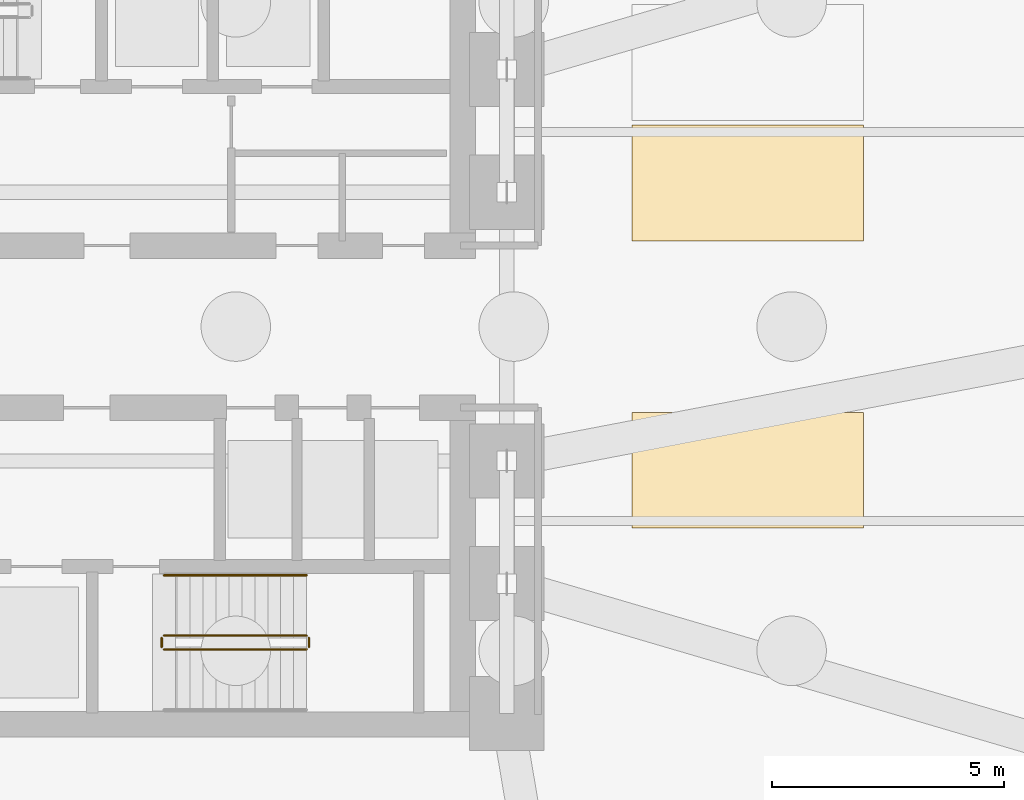
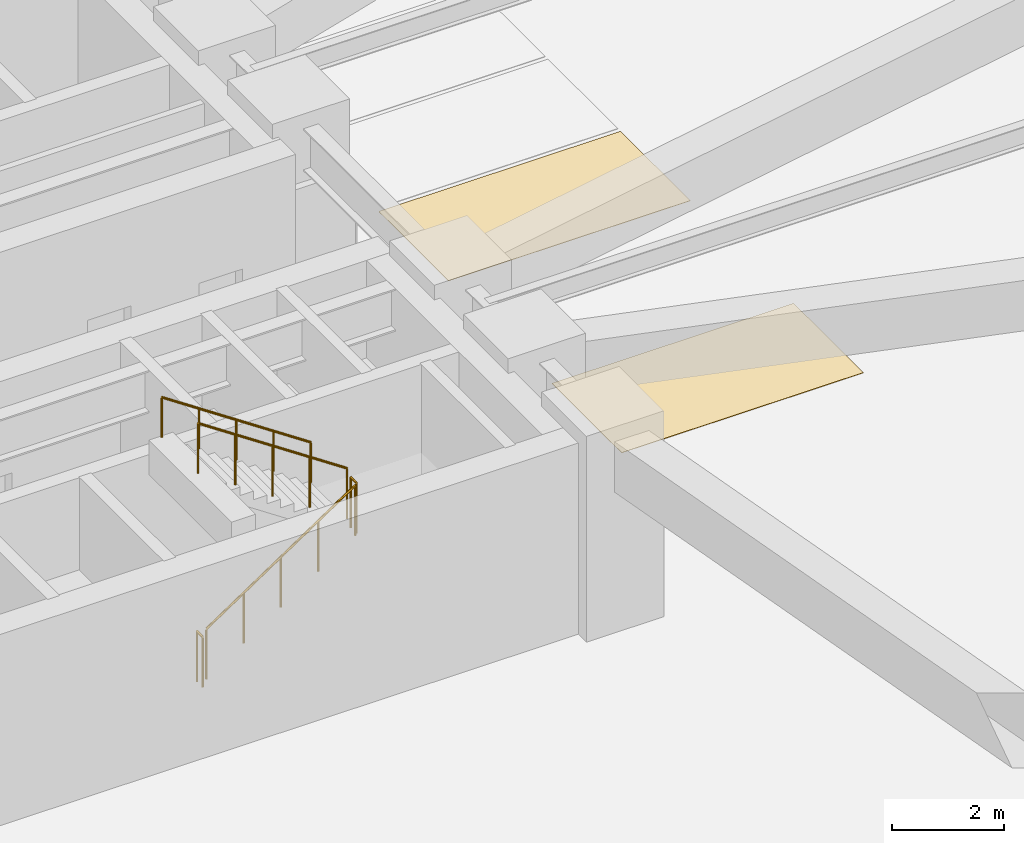
# One storey, part 10 of 14: 5 railings, 2 coverings.
"""IFC4 building model written with IfcOpenShell, lengths in metres."""

from ifc_helpers import new_model, si_unit, direction, frame, origin, origin_2d, place, context, subcontext, project, spatial, polyline, circle, outline, extrude, material, layer, layer_set, type_object, element, save


model = new_model("IFC4")

# Units and contexts
model_context = context("Model", 3, precision=1e-05, world=origin(), true_north=direction((0.0, 1.0)))
body_context = subcontext(model_context, "Body", "Model", "MODEL_VIEW")
ifc_project = project(units=[si_unit("LENGTHUNIT", "METRE"), si_unit("AREAUNIT", "SQUARE_METRE"), si_unit("VOLUMEUNIT", "CUBIC_METRE"), si_unit("PLANEANGLEUNIT", "RADIAN"), si_unit("MASSUNIT", "GRAM", prefix="KILO")], contexts=[model_context])

# Site, building, storey
site_placement = place(None, origin())
site = spatial("IfcSite", under=ifc_project, at=site_placement, CompositionType="ELEMENT")
building_placement = place(site_placement, origin())
building = spatial("IfcBuilding", under=site, at=building_placement, Name="Solmarez Civic Tower", CompositionType="ELEMENT")
storey_placement = place(building_placement, frame((0.0, 0.0, -9.0)))
storey = spatial("IfcBuildingStorey", under=building, at=storey_placement, Name="B2", CompositionType="ELEMENT", Elevation=-9.0)

# Coverings
ifc_material_1 = material(Name="Epoxy Traffic Deck Coating")
ifc_layer = layer(ifc_material_1, 0.010009765625)
ifc_layer_set = layer_set([ifc_layer], Name="Epoxy Traffic Deck Coating")
covering_type = type_object("IfcCoveringType", Name="COV-PARK-BAY", PredefinedType="FLOORING", material=ifc_layer_set)
covering_1_placement = place(storey_placement, origin())
element("IfcCovering", 1, at=covering_1_placement, inside=storey, type_object=covering_type, Name="B2 Parking Bay Marking 046", PredefinedType="FLOORING", context=body_context, shape_type="SweptSolid", body=[
    extrude(outline(polyline([(11.550048828125, 1.85009765625), (16.550048828125, 1.85009765625), (16.550048828125, 4.35009765625), (11.550048828125, 4.35009765625), (11.550048828125, 1.85009765625)])), origin(), (0.0, 0.0, 1.0), 0.010009765625),
])
covering_2_placement = place(storey_placement, origin())
element("IfcCovering", 2, at=covering_2_placement, inside=storey, type_object=covering_type, Name="B2 Parking Bay Marking 049", PredefinedType="FLOORING", context=body_context, shape_type="SweptSolid", body=[
    extrude(outline(polyline([(11.550048828125, -4.35009765625), (16.550048828125, -4.35009765625), (16.550048828125, -1.85009765625), (11.550048828125, -1.85009765625), (11.550048828125, -4.35009765625)])), origin(), (0.0, 0.0, 1.0), 0.010009765625),
])

# Railings
ifc_material_2 = material(Name="Painted Steel Stairwell Safety Guard", Category="steel")
railing_type_1 = type_object("IfcRailingType", Name="GUARD-STAIR-1120", PredefinedType="BALUSTRADE", material=ifc_material_2)
railing_1_placement = place(storey_placement, frame((1.449951171875, -6.969970703125, 0.1875)))
element("IfcRailing", 3, at=railing_1_placement, inside=storey, type_object=railing_type_1, Name="B2 ST-2 stair guard 1", PredefinedType="BALUSTRADE", context=body_context, shape_type="SweptSolid", body=[
    extrude(circle(Radius=0.02392578125, at=origin_2d()), frame((0.0, 0.0, 1.09619140625), z_axis=(0.830913701846, 0.0, 0.55640131208), x_axis=(0.0, 1.0, 0.0)), (0.0, 0.0, 1.0), 3.706787109375),
    extrude(circle(Radius=0.02099609375, at=origin_2d()), origin(), (0.0, 0.0, 1.0), 1.072021484375),
    extrude(circle(Radius=0.02099609375, at=origin_2d()), frame((0.77001953125, 0.0, 0.515625)), (0.0, 0.0, 1.0), 1.072021484375),
    extrude(circle(Radius=0.02099609375, at=origin_2d()), frame((1.5400390625, 0.0, 1.03125)), (0.0, 0.0, 1.0), 1.072021484375),
    extrude(circle(Radius=0.02099609375, at=origin_2d()), frame((2.31005859375, 0.0, 1.546875)), (0.0, 0.0, 1.0), 1.072021484375),
    extrude(circle(Radius=0.02099609375, at=origin_2d()), frame((3.080078125, 0.0, 2.0625)), (0.0, 0.0, 1.0), 1.072021484375),
])
railing_2_placement = place(storey_placement, frame((4.580078125, -6.919921875, 2.25)))
element("IfcRailing", 4, at=railing_2_placement, inside=storey, type_object=railing_type_1, Name="B2 ST-2 stair guard 2", PredefinedType="BALUSTRADE", context=body_context, shape_type="SweptSolid", body=[
    extrude(circle(Radius=0.02392578125, at=origin_2d()), frame((0.0, 0.0, 1.09619140625), z_axis=(0.0, 1.0, 0.0), x_axis=(-1.0, 0.0, 0.0)), (0.0, 0.0, 1.0), 0.199951171875),
    extrude(circle(Radius=0.02099609375, at=origin_2d()), origin(), (0.0, 0.0, 1.0), 1.072021484375),
    extrude(circle(Radius=0.02099609375, at=origin_2d()), frame((0.0, 0.199951171875, 0.0)), (0.0, 0.0, 1.0), 1.072021484375),
])
railing_3_placement = place(storey_placement, frame((4.530029296875, -6.669921875, 2.4375)))
element("IfcRailing", 5, at=railing_3_placement, inside=storey, type_object=railing_type_1, Name="B2 ST-2 stair guard 3", PredefinedType="BALUSTRADE", context=body_context, shape_type="SweptSolid", body=[
    extrude(circle(Radius=0.02392578125, at=origin_2d()), frame((0.0, 0.0, 1.09619140625), z_axis=(-0.830913701846, 0.0, 0.55640131208), x_axis=(0.0, -1.0, 0.0)), (0.0, 0.0, 1.0), 3.706787109375),
    extrude(circle(Radius=0.02099609375, at=origin_2d()), origin(), (0.0, 0.0, 1.0), 1.072021484375),
    extrude(circle(Radius=0.02099609375, at=origin_2d()), frame((-0.77001953125, 0.0, 0.515625)), (0.0, 0.0, 1.0), 1.072021484375),
    extrude(circle(Radius=0.02099609375, at=origin_2d()), frame((-1.5400390625, 0.0, 1.03125)), (0.0, 0.0, 1.0), 1.072021484375),
    extrude(circle(Radius=0.02099609375, at=origin_2d()), frame((-2.31005859375, 0.0, 1.546875)), (0.0, 0.0, 1.0), 1.072021484375),
    extrude(circle(Radius=0.02099609375, at=origin_2d()), frame((-3.080078125, 0.0, 2.0625)), (0.0, 0.0, 1.0), 1.072021484375),
])
railing_4_placement = place(storey_placement, frame((1.39990234375, -6.919921875, 0.0)))
element("IfcRailing", 6, at=railing_4_placement, inside=storey, type_object=railing_type_1, Name="B2 ST-2 stair guard 4", PredefinedType="BALUSTRADE", context=body_context, shape_type="SweptSolid", body=[
    extrude(circle(Radius=0.02392578125, at=origin_2d()), frame((0.0, 0.0, 1.09619140625), z_axis=(0.0, 1.0, 0.0), x_axis=(-1.0, 0.0, 0.0)), (0.0, 0.0, 1.0), 0.199951171875),
    extrude(circle(Radius=0.02099609375, at=origin_2d()), origin(), (0.0, 0.0, 1.0), 1.072021484375),
    extrude(circle(Radius=0.02099609375, at=origin_2d()), frame((0.0, 0.199951171875, 0.0)), (0.0, 0.0, 1.0), 1.072021484375),
])
ifc_material_3 = material(Name="Brushed Stainless Steel Tube Handrail", Category="steel")
railing_type_2 = type_object("IfcRailingType", Name="HANDRAIL-STAIR-900", PredefinedType="HANDRAIL", material=ifc_material_3)
railing_5_placement = place(storey_placement, frame((4.530029296875, -5.3701171875, 2.4375)))
element("IfcRailing", 7, at=railing_5_placement, inside=storey, type_object=railing_type_2, Name="B2 ST-2 stair handrail 2", PredefinedType="HANDRAIL", context=body_context, shape_type="SweptSolid", body=[
    extrude(circle(Radius=0.02392578125, at=origin_2d()), frame((0.0, 0.0, 0.8759765625), z_axis=(-0.830913701846, 0.0, 0.55640131208), x_axis=(0.0, -1.0, 0.0)), (0.0, 0.0, 1.0), 3.706787109375),
    extrude(circle(Radius=0.02099609375, at=origin_2d()), origin(), (0.0, 0.0, 1.0), 0.851806640625),
    extrude(circle(Radius=0.02099609375, at=origin_2d()), frame((-0.77001953125, 0.0, 0.515625)), (0.0, 0.0, 1.0), 0.851806640625),
    extrude(circle(Radius=0.02099609375, at=origin_2d()), frame((-1.5400390625, 0.0, 1.03125)), (0.0, 0.0, 1.0), 0.851806640625),
    extrude(circle(Radius=0.02099609375, at=origin_2d()), frame((-2.31005859375, 0.0, 1.546875)), (0.0, 0.0, 1.0), 0.851806640625),
    extrude(circle(Radius=0.02099609375, at=origin_2d()), frame((-3.080078125, 0.0, 2.0625)), (0.0, 0.0, 1.0), 0.851806640625),
])

save(model, "model.ifc")
